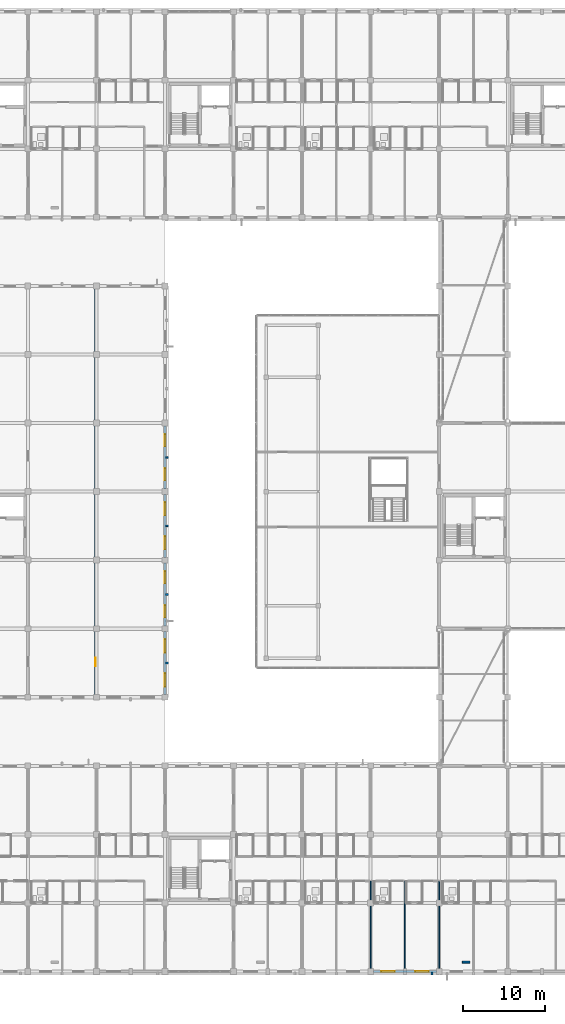
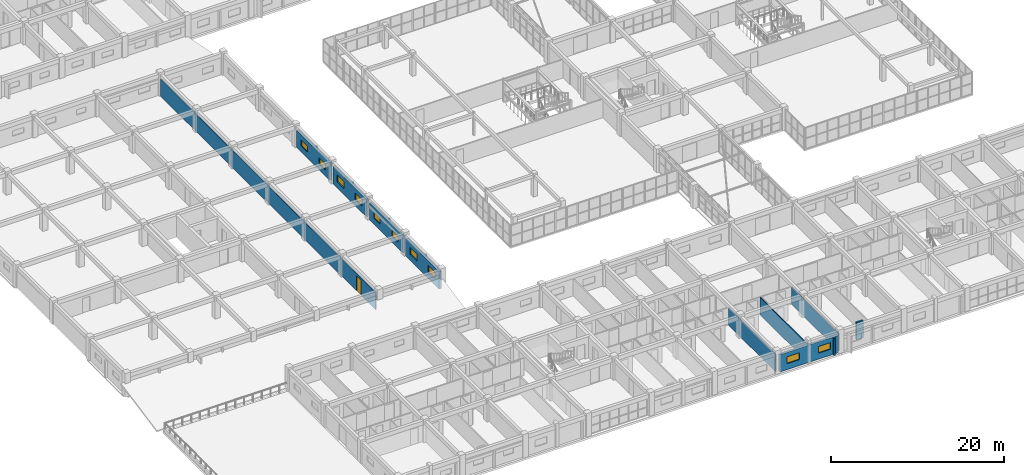
# One storey, part 114 of 148: 15 walls, 10 windows, 1 door, 11 openings.
"""IFC4 building model written with IfcOpenShell, lengths in metres."""

from ifc_helpers import new_model, si_unit, direction, frame, frame_2d, origin, place, context, subcontext, project, spatial, rectangle, extrude, material, layer, layer_set, type_object, element, fill, save


model = new_model("IFC4")

# Units and contexts
model_context = context("Model", 3, precision=1e-05, world=origin(), true_north=direction((0.0, 1.0)))
body_context = subcontext(model_context, "Body", "Model", "MODEL_VIEW")
ifc_project = project(units=[si_unit("LENGTHUNIT", "METRE"), si_unit("AREAUNIT", "SQUARE_METRE"), si_unit("VOLUMEUNIT", "CUBIC_METRE"), si_unit("PLANEANGLEUNIT", "RADIAN"), si_unit("MASSUNIT", "GRAM", prefix="KILO")], contexts=[model_context])

# Site, building, storey
site_placement = place(None, origin())
site = spatial("IfcSite", under=ifc_project, at=site_placement, CompositionType="ELEMENT")
building_placement = place(site_placement, origin())
building = spatial("IfcBuilding", under=site, at=building_placement, Name="Trelvath General Hospital", CompositionType="ELEMENT")
storey_placement = place(building_placement, frame((0.0, 0.0, 12.89990234375)))
storey = spatial("IfcBuildingStorey", under=building, at=storey_placement, Name="L03", CompositionType="ELEMENT", Elevation=12.89990234375)

# Walls
ifc_material_1 = material(Name="Precast concrete C40/50", Category="concrete")
ifc_layer_1 = layer(ifc_material_1, 0.199951171875)
ifc_layer_set_1 = layer_set([ifc_layer_1], Name="Precast concrete C40/50")
wall_type_1 = type_object("IfcWallType", Name="BriseSoleilRib 200", PredefinedType="ELEMENTEDWALL", material=ifc_layer_set_1)
for number, where, z_axis, x_axis, name in (
    (1, (42.074951171875, 37.800048828125, 0.0), (0.0, 0.0, 1.0), (1.0, 0.0, 0.0), "Precast Concrete Brise-Soleil Rib Fin L03-249"),
    (2, (42.074951171875, 46.199951171875, 0.0), (0.0, 0.0, 1.0), (1.0, 0.0, 0.0), "Precast Concrete Brise-Soleil Rib Fin L03-250"),
    (3, (42.074951171875, 54.60009765625, 0.0), (0.0, 0.0, 1.0), (1.0, 0.0, 0.0), "Precast Concrete Brise-Soleil Rib Fin L03-251"),
    (4, (42.074951171875, 63.0, 0.0), (0.0, 0.0, 1.0), (1.0, 0.0, 0.0), "Precast Concrete Brise-Soleil Rib Fin L03-252"),
    (5, (74.71533203125, -0.074951171875, 0.0), (0.0, 0.0, 1.0), (0.0, -1.0, 0.0), "Precast Concrete Brise-Soleil Rib Fin L03-268"),
):
    element("IfcWall", number, at=place(storey_placement, frame(where, z_axis=z_axis, x_axis=x_axis)), inside=storey, type_object=wall_type_1, Name=name, PredefinedType="ELEMENTEDWALL", context=body_context, shape_type="SweptSolid", body=[
        extrude(rectangle(XDim=0.340087890625, YDim=0.199951171875, at=frame_2d((0.169921875, 0.0))), origin(), (0.0, 0.0, 1.0), 2.420166015625),
    ])

# Wall, opening, door
ifc_material_2 = material(Name="Gypsum acoustic steel-stud partition", Category="steel")
ifc_layer_2 = layer(ifc_material_2, 0.14990234375)
ifc_layer_set_2 = layer_set([ifc_layer_2], Name="Gypsum acoustic steel-stud partition")
wall_type_2 = type_object("IfcWallType", Name="ClinicalPartition 150", PredefinedType="PARTITIONING", material=ifc_layer_set_2)
wall_1_placement = place(storey_placement, frame((33.5, 34.0, 0.0), z_axis=(0.0, 0.0, 1.0), x_axis=(0.0, 1.0, 0.0)))
wall_1 = element("IfcWall", 6, at=wall_1_placement, inside=storey, type_object=wall_type_2, Name="Telemetry Partition L03-1401", PredefinedType="PARTITIONING", context=body_context, shape_type="SweptSolid", body=[
    extrude(rectangle(XDim=49.60009765625, YDim=0.14990234375, at=frame_2d((24.800048828125, 0.0))), origin(), (0.0, 0.0, 1.0), 2.420166015625),
])
opening_1_placement = place(wall_1_placement, frame((3.39990234375, 0.0, 0.0)))
opening_1 = element("IfcOpeningElement", 7, at=opening_1_placement, cuts=wall_1, Name="Opening D-3-0986", PredefinedType="OPENING", context=body_context, shape_type="SweptSolid", body=[
    extrude(rectangle(XDim=1.02001953125, YDim=2.14990234375, at=frame_2d((0.510009765625, 1.074951171875))), frame((0.0, 0.0849609375, 0.0), z_axis=(0.0, -1.0, 0.0), x_axis=(1.0, 0.0, 0.0)), (0.0, 0.0, 1.0), 0.169921875),
])
ifc_material_3 = material(Name="Acoustic hospital timber leaf", Category="wood")
door_type = type_object("IfcDoorType", Name="Door Telemetry 1020x2150", OperationType="NOTDEFINED", PredefinedType="DOOR", material=ifc_material_3)
door_placement = place(opening_1_placement, origin())
door = element("IfcDoor", 8, at=door_placement, inside=storey, type_object=door_type, Name="Telemetry Door L03-986", OperationType="SINGLE_SWING_RIGHT", OverallHeight=2.14990234375, OverallWidth=1.02001953125, PredefinedType="DOOR", context=body_context, shape_type="SweptSolid", body=[
    extrude(rectangle(XDim=1.02001953125, YDim=2.14990234375, at=frame_2d((0.510009765625, 1.074951171875))), frame((0.0, 0.02490234375, 0.0), z_axis=(0.0, -1.0, 0.0), x_axis=(1.0, 0.0, 0.0)), (0.0, 0.0, 1.0), 0.050048828125),
])
fill(opening_1, door)

# Wall, openings, windows
ifc_material_4 = material(Name="Concrete C35/45", Category="concrete")
ifc_layer_3 = layer(ifc_material_4, 0.2900390625)
ifc_layer_set_3 = layer_set([ifc_layer_3], Name="Concrete C35/45")
wall_type_3 = type_object("IfcWallType", Name="ExtBushHammeredWall 290", PredefinedType="SOLIDWALL", material=ifc_layer_set_3)
wall_2_placement = place(storey_placement, frame((42.0, 41.655029296875, 0.0), z_axis=(0.0, 0.0, 1.0), x_axis=(0.0, -1.0, 0.0)))
wall_2 = element("IfcWall", 9, at=wall_2_placement, inside=storey, type_object=wall_type_3, Name="Exterior Concrete Wall L03-357", PredefinedType="SOLIDWALL", context=body_context, shape_type="SweptSolid", body=[
    extrude(rectangle(XDim=7.7099609375, YDim=0.2900390625, at=frame_2d((3.85498046875, 0.0))), origin(), (0.0, 0.0, 1.0), 2.440185546875),
])
opening_2_placement = place(wall_2_placement, frame((0.96337890625, 0.0, 0.85009765625)))
opening_2 = element("IfcOpeningElement", 10, at=opening_2_placement, cuts=wall_2, Name="Opening WN-3-583", PredefinedType="OPENING", context=body_context, shape_type="SweptSolid", body=[
    extrude(rectangle(XDim=1.6201171875, YDim=0.949951171875, at=frame_2d((0.81005859375, 0.47509765625))), frame((0.0, 0.155029296875, 0.0), z_axis=(0.0, -1.0, 0.0), x_axis=(1.0, 0.0, 0.0)), (0.0, 0.0, 1.0), 0.31005859375),
])
opening_3_placement = place(wall_2_placement, frame((5.126708984375, 0.0, 0.85009765625)))
opening_3 = element("IfcOpeningElement", 11, at=opening_3_placement, cuts=wall_2, Name="Opening WN-3-584", PredefinedType="OPENING", context=body_context, shape_type="SweptSolid", body=[
    extrude(rectangle(XDim=1.6201171875, YDim=0.949951171875, at=frame_2d((0.81005859375, 0.47509765625))), frame((0.0, 0.155029296875, 0.0), z_axis=(0.0, -1.0, 0.0), x_axis=(1.0, 0.0, 0.0)), (0.0, 0.0, 1.0), 0.31005859375),
])
ifc_material_5 = material(Name="Low-E laminated glass", Category="glass")
window_type_1 = type_object("IfcWindowType", Name="Window EmergencyClere 1620x950", PartitioningType="DOUBLE_PANEL_VERTICAL", PredefinedType="WINDOW", material=ifc_material_5)
window_1_placement = place(opening_2_placement, origin())
window_1 = element("IfcWindow", 12, at=window_1_placement, inside=storey, type_object=window_type_1, Name="Solar Reveal Window L03-583", OverallHeight=0.949951171875, OverallWidth=1.6201171875, PartitioningType="SINGLE_PANEL", PredefinedType="WINDOW", context=body_context, shape_type="SweptSolid", body=[
    extrude(rectangle(XDim=1.6201171875, YDim=0.949951171875, at=frame_2d((0.81005859375, 0.47509765625))), frame((0.0, 0.030029296875, 0.0), z_axis=(0.0, -1.0, 0.0), x_axis=(1.0, 0.0, 0.0)), (0.0, 0.0, 1.0), 0.06005859375),
])
fill(opening_2, window_1)
window_2_placement = place(opening_3_placement, origin())
window_2 = element("IfcWindow", 13, at=window_2_placement, inside=storey, type_object=window_type_1, Name="Solar Reveal Window L03-584", OverallHeight=0.949951171875, OverallWidth=1.6201171875, PartitioningType="SINGLE_PANEL", PredefinedType="WINDOW", context=body_context, shape_type="SweptSolid", body=[
    extrude(rectangle(XDim=1.6201171875, YDim=0.949951171875, at=frame_2d((0.81005859375, 0.47509765625))), frame((0.0, 0.030029296875, 0.0), z_axis=(0.0, -1.0, 0.0), x_axis=(1.0, 0.0, 0.0)), (0.0, 0.0, 1.0), 0.06005859375),
])
fill(opening_3, window_2)

wall_3_placement = place(storey_placement, frame((42.0, 50.054931640625, 0.0), z_axis=(0.0, 0.0, 1.0), x_axis=(0.0, -1.0, 0.0)))
wall_3 = element("IfcWall", 14, at=wall_3_placement, inside=storey, type_object=wall_type_3, Name="Exterior Concrete Wall L03-358", PredefinedType="SOLIDWALL", context=body_context, shape_type="SweptSolid", body=[
    extrude(rectangle(XDim=7.7099609375, YDim=0.2900390625, at=frame_2d((3.85498046875, 0.0))), origin(), (0.0, 0.0, 1.0), 2.440185546875),
])
opening_4_placement = place(wall_3_placement, frame((1.043212890625, 0.0, 0.85009765625)))
opening_4 = element("IfcOpeningElement", 15, at=opening_4_placement, cuts=wall_3, Name="Opening WN-3-585", PredefinedType="OPENING", context=body_context, shape_type="SweptSolid", body=[
    extrude(rectangle(XDim=1.4599609375, YDim=0.85009765625, at=frame_2d((0.72998046875, 0.425048828125))), frame((0.0, 0.155029296875, 0.0), z_axis=(0.0, -1.0, 0.0), x_axis=(1.0, 0.0, 0.0)), (0.0, 0.0, 1.0), 0.31005859375),
])
opening_5_placement = place(wall_3_placement, frame((5.206787109375, 0.0, 0.85009765625)))
opening_5 = element("IfcOpeningElement", 16, at=opening_5_placement, cuts=wall_3, Name="Opening WN-3-586", PredefinedType="OPENING", context=body_context, shape_type="SweptSolid", body=[
    extrude(rectangle(XDim=1.4599609375, YDim=0.85009765625, at=frame_2d((0.72998046875, 0.425048828125))), frame((0.0, 0.155029296875, 0.0), z_axis=(0.0, -1.0, 0.0), x_axis=(1.0, 0.0, 0.0)), (0.0, 0.0, 1.0), 0.31005859375),
])
ifc_material_6 = material(Name="Low-E laminated glass", Category="glass")
window_type_2 = type_object("IfcWindowType", Name="Window ImagingClere 1460x850", PartitioningType="DOUBLE_PANEL_VERTICAL", PredefinedType="WINDOW", material=ifc_material_6)
window_3_placement = place(opening_4_placement, origin())
window_3 = element("IfcWindow", 17, at=window_3_placement, inside=storey, type_object=window_type_2, Name="Solar Reveal Window L03-585", OverallHeight=0.85009765625, OverallWidth=1.4599609375, PartitioningType="SINGLE_PANEL", PredefinedType="WINDOW", context=body_context, shape_type="SweptSolid", body=[
    extrude(rectangle(XDim=1.4599609375, YDim=0.85009765625, at=frame_2d((0.72998046875, 0.425048828125))), frame((0.0, 0.030029296875, 0.0), z_axis=(0.0, -1.0, 0.0), x_axis=(1.0, 0.0, 0.0)), (0.0, 0.0, 1.0), 0.06005859375),
])
fill(opening_4, window_3)
window_4_placement = place(opening_5_placement, origin())
window_4 = element("IfcWindow", 18, at=window_4_placement, inside=storey, type_object=window_type_2, Name="Solar Reveal Window L03-586", OverallHeight=0.85009765625, OverallWidth=1.4599609375, PartitioningType="SINGLE_PANEL", PredefinedType="WINDOW", context=body_context, shape_type="SweptSolid", body=[
    extrude(rectangle(XDim=1.4599609375, YDim=0.85009765625, at=frame_2d((0.72998046875, 0.425048828125))), frame((0.0, 0.030029296875, 0.0), z_axis=(0.0, -1.0, 0.0), x_axis=(1.0, 0.0, 0.0)), (0.0, 0.0, 1.0), 0.06005859375),
])
fill(opening_5, window_4)

wall_4_placement = place(storey_placement, frame((42.0, 58.455078125, 0.0), z_axis=(0.0, 0.0, 1.0), x_axis=(0.0, -1.0, 0.0)))
wall_4 = element("IfcWall", 19, at=wall_4_placement, inside=storey, type_object=wall_type_3, Name="Exterior Concrete Wall L03-359", PredefinedType="SOLIDWALL", context=body_context, shape_type="SweptSolid", body=[
    extrude(rectangle(XDim=7.7099609375, YDim=0.2900390625, at=frame_2d((3.85498046875, 0.0))), origin(), (0.0, 0.0, 1.0), 2.440185546875),
])
opening_6_placement = place(wall_4_placement, frame((0.96337890625, 0.0, 0.85009765625)))
opening_6 = element("IfcOpeningElement", 20, at=opening_6_placement, cuts=wall_4, Name="Opening WN-3-587", PredefinedType="OPENING", context=body_context, shape_type="SweptSolid", body=[
    extrude(rectangle(XDim=1.6201171875, YDim=0.949951171875, at=frame_2d((0.81005859375, 0.47509765625))), frame((0.0, 0.155029296875, 0.0), z_axis=(0.0, -1.0, 0.0), x_axis=(1.0, 0.0, 0.0)), (0.0, 0.0, 1.0), 0.31005859375),
])
opening_7_placement = place(wall_4_placement, frame((5.126708984375, 0.0, 0.85009765625)))
opening_7 = element("IfcOpeningElement", 21, at=opening_7_placement, cuts=wall_4, Name="Opening WN-3-588", PredefinedType="OPENING", context=body_context, shape_type="SweptSolid", body=[
    extrude(rectangle(XDim=1.6201171875, YDim=0.949951171875, at=frame_2d((0.81005859375, 0.47509765625))), frame((0.0, 0.155029296875, 0.0), z_axis=(0.0, -1.0, 0.0), x_axis=(1.0, 0.0, 0.0)), (0.0, 0.0, 1.0), 0.31005859375),
])
window_5_placement = place(opening_6_placement, origin())
window_5 = element("IfcWindow", 22, at=window_5_placement, inside=storey, type_object=window_type_1, Name="Solar Reveal Window L03-587", OverallHeight=0.949951171875, OverallWidth=1.6201171875, PartitioningType="SINGLE_PANEL", PredefinedType="WINDOW", context=body_context, shape_type="SweptSolid", body=[
    extrude(rectangle(XDim=1.6201171875, YDim=0.949951171875, at=frame_2d((0.81005859375, 0.47509765625))), frame((0.0, 0.030029296875, 0.0), z_axis=(0.0, -1.0, 0.0), x_axis=(1.0, 0.0, 0.0)), (0.0, 0.0, 1.0), 0.06005859375),
])
fill(opening_6, window_5)
window_6_placement = place(opening_7_placement, origin())
window_6 = element("IfcWindow", 23, at=window_6_placement, inside=storey, type_object=window_type_1, Name="Solar Reveal Window L03-588", OverallHeight=0.949951171875, OverallWidth=1.6201171875, PartitioningType="SINGLE_PANEL", PredefinedType="WINDOW", context=body_context, shape_type="SweptSolid", body=[
    extrude(rectangle(XDim=1.6201171875, YDim=0.949951171875, at=frame_2d((0.81005859375, 0.47509765625))), frame((0.0, 0.030029296875, 0.0), z_axis=(0.0, -1.0, 0.0), x_axis=(1.0, 0.0, 0.0)), (0.0, 0.0, 1.0), 0.06005859375),
])
fill(opening_7, window_6)

wall_5_placement = place(storey_placement, frame((42.0, 66.85498046875, 0.0), z_axis=(0.0, 0.0, 1.0), x_axis=(0.0, -1.0, 0.0)))
wall_5 = element("IfcWall", 24, at=wall_5_placement, inside=storey, type_object=wall_type_3, Name="Exterior Concrete Wall L03-360", PredefinedType="SOLIDWALL", context=body_context, shape_type="SweptSolid", body=[
    extrude(rectangle(XDim=7.7099609375, YDim=0.2900390625, at=frame_2d((3.85498046875, 0.0))), origin(), (0.0, 0.0, 1.0), 2.440185546875),
])
opening_8_placement = place(wall_5_placement, frame((1.043212890625, 0.0, 0.85009765625)))
opening_8 = element("IfcOpeningElement", 25, at=opening_8_placement, cuts=wall_5, Name="Opening WN-3-589", PredefinedType="OPENING", context=body_context, shape_type="SweptSolid", body=[
    extrude(rectangle(XDim=1.4599609375, YDim=0.85009765625, at=frame_2d((0.72998046875, 0.425048828125))), frame((0.0, 0.155029296875, 0.0), z_axis=(0.0, -1.0, 0.0), x_axis=(1.0, 0.0, 0.0)), (0.0, 0.0, 1.0), 0.31005859375),
])
opening_9_placement = place(wall_5_placement, frame((5.206787109375, 0.0, 0.85009765625)))
opening_9 = element("IfcOpeningElement", 26, at=opening_9_placement, cuts=wall_5, Name="Opening WN-3-590", PredefinedType="OPENING", context=body_context, shape_type="SweptSolid", body=[
    extrude(rectangle(XDim=1.4599609375, YDim=0.85009765625, at=frame_2d((0.72998046875, 0.425048828125))), frame((0.0, 0.155029296875, 0.0), z_axis=(0.0, -1.0, 0.0), x_axis=(1.0, 0.0, 0.0)), (0.0, 0.0, 1.0), 0.31005859375),
])
window_7_placement = place(opening_8_placement, origin())
window_7 = element("IfcWindow", 27, at=window_7_placement, inside=storey, type_object=window_type_2, Name="Solar Reveal Window L03-589", OverallHeight=0.85009765625, OverallWidth=1.4599609375, PartitioningType="SINGLE_PANEL", PredefinedType="WINDOW", context=body_context, shape_type="SweptSolid", body=[
    extrude(rectangle(XDim=1.4599609375, YDim=0.85009765625, at=frame_2d((0.72998046875, 0.425048828125))), frame((0.0, 0.030029296875, 0.0), z_axis=(0.0, -1.0, 0.0), x_axis=(1.0, 0.0, 0.0)), (0.0, 0.0, 1.0), 0.06005859375),
])
fill(opening_8, window_7)
window_8_placement = place(opening_9_placement, origin())
window_8 = element("IfcWindow", 28, at=window_8_placement, inside=storey, type_object=window_type_2, Name="Solar Reveal Window L03-590", OverallHeight=0.85009765625, OverallWidth=1.4599609375, PartitioningType="SINGLE_PANEL", PredefinedType="WINDOW", context=body_context, shape_type="SweptSolid", body=[
    extrude(rectangle(XDim=1.4599609375, YDim=0.85009765625, at=frame_2d((0.72998046875, 0.425048828125))), frame((0.0, 0.030029296875, 0.0), z_axis=(0.0, -1.0, 0.0), x_axis=(1.0, 0.0, 0.0)), (0.0, 0.0, 1.0), 0.06005859375),
])
fill(opening_9, window_8)

wall_6_placement = place(storey_placement, frame((75.2548828125, 0.0, 0.0), z_axis=(0.0, 0.0, 1.0), x_axis=(-1.0, 0.0, 0.0)))
wall_6 = element("IfcWall", 29, at=wall_6_placement, inside=storey, type_object=wall_type_3, Name="Exterior Concrete Wall L03-376", PredefinedType="SOLIDWALL", context=body_context, shape_type="SweptSolid", body=[
    extrude(rectangle(XDim=7.7099609375, YDim=0.2900390625, at=frame_2d((3.85498046875, 0.0))), origin(), (0.0, 0.0, 1.0), 2.440185546875),
])
opening_10_placement = place(wall_6_placement, frame((0.96337890625, 0.0, 0.85009765625)))
opening_10 = element("IfcOpeningElement", 30, at=opening_10_placement, cuts=wall_6, Name="Opening WN-3-621", PredefinedType="OPENING", context=body_context, shape_type="SweptSolid", body=[
    extrude(rectangle(XDim=1.6201171875, YDim=0.949951171875, at=frame_2d((0.81005859375, 0.47509765625))), frame((0.0, 0.155029296875, 0.0), z_axis=(0.0, -1.0, 0.0), x_axis=(1.0, 0.0, 0.0)), (0.0, 0.0, 1.0), 0.31005859375),
])
opening_11_placement = place(wall_6_placement, frame((5.126708984375, 0.0, 0.85009765625)))
opening_11 = element("IfcOpeningElement", 31, at=opening_11_placement, cuts=wall_6, Name="Opening WN-3-622", PredefinedType="OPENING", context=body_context, shape_type="SweptSolid", body=[
    extrude(rectangle(XDim=1.6201171875, YDim=0.949951171875, at=frame_2d((0.81005859375, 0.47509765625))), frame((0.0, 0.155029296875, 0.0), z_axis=(0.0, -1.0, 0.0), x_axis=(1.0, 0.0, 0.0)), (0.0, 0.0, 1.0), 0.31005859375),
])
window_9_placement = place(opening_10_placement, origin())
window_9 = element("IfcWindow", 32, at=window_9_placement, inside=storey, type_object=window_type_1, Name="Solar Reveal Window L03-621", OverallHeight=0.949951171875, OverallWidth=1.6201171875, PartitioningType="SINGLE_PANEL", PredefinedType="WINDOW", context=body_context, shape_type="SweptSolid", body=[
    extrude(rectangle(XDim=1.6201171875, YDim=0.949951171875, at=frame_2d((0.81005859375, 0.47509765625))), frame((0.0, 0.030029296875, 0.0), z_axis=(0.0, -1.0, 0.0), x_axis=(1.0, 0.0, 0.0)), (0.0, 0.0, 1.0), 0.06005859375),
])
fill(opening_10, window_9)
window_10_placement = place(opening_11_placement, origin())
window_10 = element("IfcWindow", 33, at=window_10_placement, inside=storey, type_object=window_type_1, Name="Solar Reveal Window L03-622", OverallHeight=0.949951171875, OverallWidth=1.6201171875, PartitioningType="SINGLE_PANEL", PredefinedType="WINDOW", context=body_context, shape_type="SweptSolid", body=[
    extrude(rectangle(XDim=1.6201171875, YDim=0.949951171875, at=frame_2d((0.81005859375, 0.47509765625))), frame((0.0, 0.030029296875, 0.0), z_axis=(0.0, -1.0, 0.0), x_axis=(1.0, 0.0, 0.0)), (0.0, 0.0, 1.0), 0.06005859375),
])
fill(opening_11, window_10)

# Walls
ifc_material_7 = material(Name="Masonry service chase blockwork", Category="masonry")
ifc_layer_4 = layer(ifc_material_7, 0.239990234375)
ifc_layer_set_4 = layer_set([ifc_layer_4], Name="Masonry service chase blockwork")
wall_type_4 = type_object("IfcWallType", Name="PlumbingChaseWall 240", PredefinedType="PLUMBINGWALL", material=ifc_layer_set_4)
wall_7_placement = place(storey_placement, frame((78.449951171875, 1.14990234375, 0.0), z_axis=(0.0, 0.0, 1.0), x_axis=(1.0, 0.0, 0.0)))
element("IfcWall", 34, at=wall_7_placement, inside=storey, type_object=wall_type_4, Name="Medical Gas Plumbing Chase L03-1152", PredefinedType="PLUMBINGWALL", context=body_context, shape_type="SweptSolid", body=[
    extrude(rectangle(XDim=0.900146484375, YDim=0.239990234375, at=frame_2d((0.4501953125, 0.0))), origin(), (0.0, 0.0, 1.0), 2.420166015625),
])
ifc_material_8 = material(Name="Gypsum acoustic steel-stud partition", Category="steel")
ifc_layer_5 = layer(ifc_material_8, 0.1298828125)
ifc_layer_set_5 = layer_set([ifc_layer_5], Name="Gypsum acoustic steel-stud partition")
wall_type_5 = type_object("IfcWallType", Name="WardPartition 130", PredefinedType="PARTITIONING", material=ifc_layer_set_5)
wall_8_placement = place(storey_placement, frame((67.199951171875, 0.139892578125, 0.0), z_axis=(0.0, 0.0, 1.0), x_axis=(0.0, 1.0, 0.0)))
element("IfcWall", 35, at=wall_8_placement, inside=storey, type_object=wall_type_5, Name="Inter-Bay Ward Partition S L03-1131", PredefinedType="PARTITIONING", context=body_context, shape_type="SweptSolid", body=[
    extrude(rectangle(XDim=10.940185546875, YDim=0.1298828125, at=frame_2d((5.47021484375, 0.0))), origin(), (0.0, 0.0, 1.0), 2.420166015625),
])
wall_9_placement = place(storey_placement, frame((71.39990234375, 0.10009765625, 0.0), z_axis=(0.0, 0.0, 1.0), x_axis=(0.0, 1.0, 0.0)))
element("IfcWall", 36, at=wall_9_placement, inside=storey, type_object=wall_type_5, Name="Room Dividing Partition S L03-1134", PredefinedType="PARTITIONING", context=body_context, shape_type="SweptSolid", body=[
    extrude(rectangle(XDim=10.929931640625, YDim=0.1298828125, at=frame_2d((5.46484375, 0.0))), origin(), (0.0, 0.0, 1.0), 2.420166015625),
])
wall_10_placement = place(storey_placement, frame((75.60009765625, 0.139892578125, 0.0), z_axis=(0.0, 0.0, 1.0), x_axis=(0.0, 1.0, 0.0)))
element("IfcWall", 37, at=wall_10_placement, inside=storey, type_object=wall_type_5, Name="Inter-Bay Ward Partition S L03-1142", PredefinedType="PARTITIONING", context=body_context, shape_type="SweptSolid", body=[
    extrude(rectangle(XDim=10.940185546875, YDim=0.1298828125, at=frame_2d((5.47021484375, 0.0))), origin(), (0.0, 0.0, 1.0), 2.420166015625),
])

save(model, "model.ifc")
